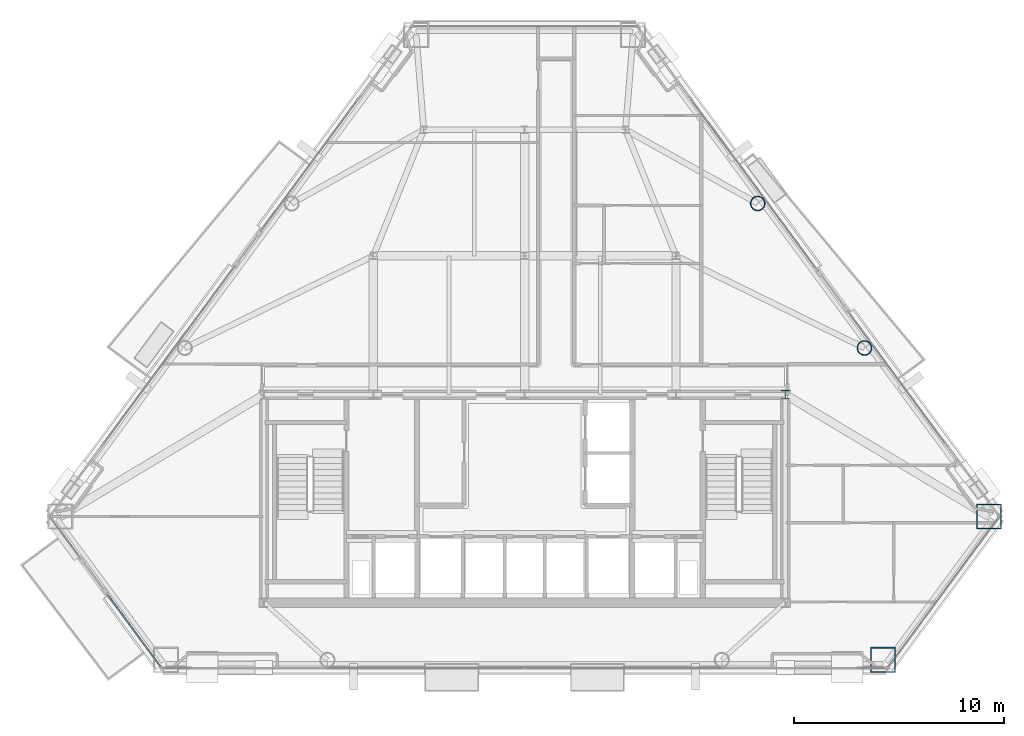
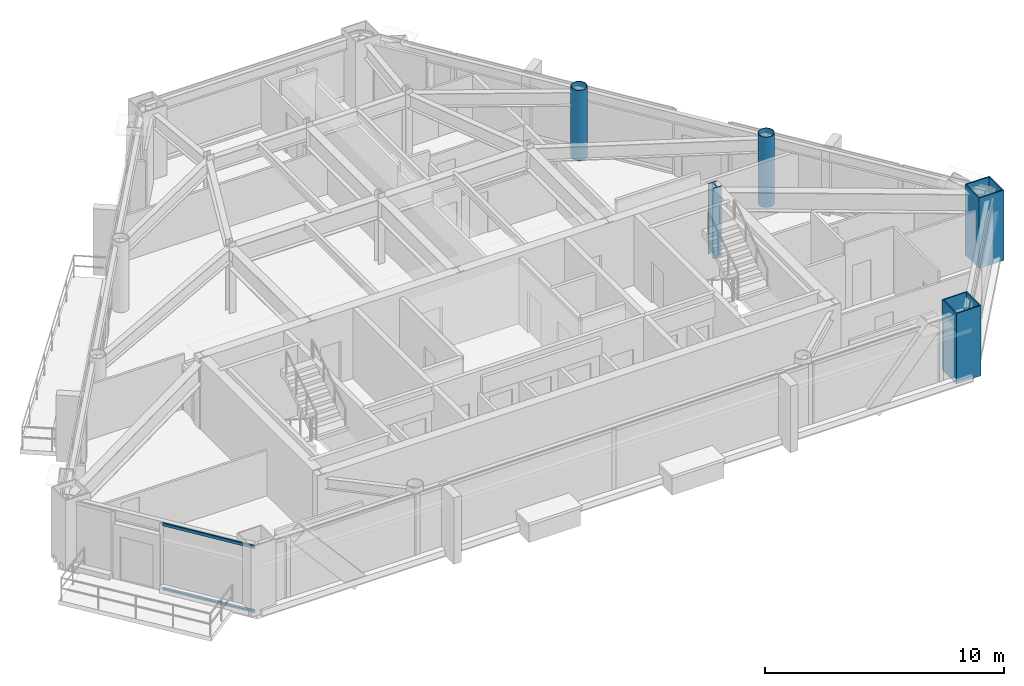
# One storey, part 2 of 11: 5 columns, 2 members, 1 element without a shape of its own.
"""IFC4 building model written with IfcOpenShell, lengths in metres."""

import ifcopenshell
import ifcopenshell.guid

model = None  # the IFC model being written
_history = None  # IfcOwnerHistory: only IFC2X3 demands one
_inside = {}  # id of a spatial element -> (the spatial element, [elements in it])
_under = {}  # id of a project, library or spatial element -> (it, [spatial elements below it])
_declared = {}  # id of a project -> (the project, [libraries it declares])
_typed = {}  # id of a type object -> (the type object, [elements of that type])
_made_of = {}  # id of a material, layer set ... -> (it, [elements and type objects made of it])


def new_model(schema):
    """Start an empty IFC model of exactly this schema.

    Asked for "IFC4X3", IfcOpenShell would pick the latest addendum, in which some entities
    have other attributes; the version numbers below select the first issue.
    IFC2X3 requires an IfcOwnerHistory on every rooted entity: one is made here for all.
    """
    global model, _history
    if schema == "IFC4X3":
        model = ifcopenshell.file(schema_version=(4, 3, 0, 0))
    else:
        model = ifcopenshell.file(schema=schema)
    _inside.clear()
    _under.clear()
    _declared.clear()
    _typed.clear()
    _made_of.clear()
    _history = None
    if model.schema == "IFC2X3":
        org = make("IfcOrganization", Name="unknown")
        user = make(
            "IfcPersonAndOrganization",
            ThePerson=make("IfcPerson", FamilyName="unknown"),
            TheOrganization=org,
        )
        app = make(
            "IfcApplication",
            ApplicationDeveloper=org,
            Version="unknown",
            ApplicationFullName="unknown",
            ApplicationIdentifier="unknown",
        )
        _history = make(
            "IfcOwnerHistory",
            OwningUser=user,
            OwningApplication=app,
            ChangeAction="ADDED",
            CreationDate=0,
        )
    return model


def make(cls, **values):
    """One entity of the class cls with the attributes given. An attribute that is None is left unset."""
    return model.create_entity(
        cls, **{name: value for name, value in values.items() if value is not None}
    )


def rooted(cls, **values):
    """An entity with a GlobalId (a new one), such as an element, a storey or a relation."""
    return make(cls, GlobalId=ifcopenshell.guid.new(), OwnerHistory=_history, **values)


def si_unit(unit_type, name, prefix=None):
    """IfcSIUnit, for example si_unit("LENGTHUNIT", "METRE", prefix="MILLI")."""
    return make("IfcSIUnit", UnitType=unit_type, Prefix=prefix, Name=name)


def assignment(units):
    """IfcUnitAssignment: the units of a project."""
    return None if units is None else make("IfcUnitAssignment", Units=units)


def point(xyz):
    """IfcCartesianPoint."""
    return None if xyz is None else make("IfcCartesianPoint", Coordinates=xyz)


def direction(xyz):
    """IfcDirection."""
    return None if xyz is None else make("IfcDirection", DirectionRatios=xyz)


def frame(location, z_axis=None, x_axis=None):
    """IfcAxis2Placement3D, a coordinate frame: its origin and axes. An axis left out is left unset."""
    return make(
        "IfcAxis2Placement3D",
        Location=point(location),
        Axis=direction(z_axis),
        RefDirection=direction(x_axis),
    )


def frame_2d(location, x_axis=None):
    """IfcAxis2Placement2D, a coordinate frame in the plane: its origin and x axis."""
    return make(
        "IfcAxis2Placement2D", Location=point(location), RefDirection=direction(x_axis)
    )


def origin():
    """The frame at (0, 0, 0) with its axes left unset."""
    return frame((0.0, 0.0, 0.0))


def origin_2d():
    """The frame at (0, 0) in the plane with its x axis left unset."""
    return frame_2d((0.0, 0.0))


def place(relative_to, where):
    """IfcLocalPlacement: puts the frame where relative to a parent placement (None: the world)."""
    return make(
        "IfcLocalPlacement", PlacementRelTo=relative_to, RelativePlacement=where
    )


def context(
    kind, dimensions, precision=None, world=None, true_north=None, identifier=None
):
    """IfcGeometricRepresentationContext, for example the 3D "Model" context."""
    return make(
        "IfcGeometricRepresentationContext",
        ContextIdentifier=identifier,
        ContextType=kind,
        CoordinateSpaceDimension=dimensions,
        Precision=precision,
        WorldCoordinateSystem=world,
        TrueNorth=true_north,
    )


def subcontext(parent, identifier, kind, view, scale=None):
    """IfcGeometricRepresentationSubContext, for example "Body" below "Model"."""
    return make(
        "IfcGeometricRepresentationSubContext",
        ContextIdentifier=identifier,
        ContextType=kind,
        ParentContext=parent,
        TargetScale=scale,
        TargetView=view,
    )


def project(units=None, contexts=None):
    """IfcProject with its units and contexts."""
    return rooted(
        "IfcProject",
        Name="project",
        RepresentationContexts=contexts,
        UnitsInContext=assignment(units),
    )


def spatial(cls, under=None, at=None, **own):
    """A site, building, storey or space (cls), placed at a placement, below another one or the project."""
    s = rooted(cls, ObjectPlacement=at, **own)
    if under is not None:
        _under.setdefault(under.id(), (under, []))[1].append(s)
    return s


def profile(cls, at=None, kind="AREA", **sizes):
    """A parametric profile (cls). Its sizes go by their IFC names, for example OverallWidth=200.0."""
    return make(cls, ProfileType=kind, Position=at, **sizes)


def rectangle(**sizes):
    """IfcRectangleProfileDef."""
    return profile("IfcRectangleProfileDef", **sizes)


def hollow_rectangle(**sizes):
    """IfcRectangleHollowProfileDef."""
    return profile("IfcRectangleHollowProfileDef", **sizes)


def hollow_circle(**sizes):
    """IfcCircleHollowProfileDef."""
    return profile("IfcCircleHollowProfileDef", **sizes)


def i_section(**sizes):
    """IfcIShapeProfileDef."""
    return profile("IfcIShapeProfileDef", **sizes)


def extrude(swept, where, along, depth):
    """IfcExtrudedAreaSolid: the profile swept, set in the frame where, extruded along a direction by depth."""
    return make(
        "IfcExtrudedAreaSolid",
        SweptArea=swept,
        Position=where,
        ExtrudedDirection=direction(along),
        Depth=depth,
    )


def shape(context_of_items, identifier, shape_type, items):
    """IfcShapeRepresentation: the items that make up one representation, for example the "Body"."""
    return make(
        "IfcShapeRepresentation",
        ContextOfItems=context_of_items,
        RepresentationIdentifier=identifier,
        RepresentationType=shape_type,
        Items=items,
    )


def material(Name=None, Category=None):
    """IfcMaterial."""
    return make("IfcMaterial", Name=Name, Category=Category)


def layer(
    of_material, thickness, ventilated=None, Name=None, Category=None, Priority=None
):
    """IfcMaterialLayer: one layer of a wall or slab, of a material (None: an air gap)."""
    return make(
        "IfcMaterialLayer",
        Material=of_material,
        LayerThickness=thickness,
        IsVentilated=ventilated,
        Name=Name,
        Category=Category,
        Priority=Priority,
    )


def layer_set(layers, Name=None):
    """IfcMaterialLayerSet."""
    return make("IfcMaterialLayerSet", MaterialLayers=layers, LayerSetName=Name)


def material_profile(
    of_material, cross_section, Name=None, Category=None, Priority=None
):
    """IfcMaterialProfile: a cross section and its material."""
    return make(
        "IfcMaterialProfile",
        Name=Name,
        Material=of_material,
        Profile=cross_section,
        Priority=Priority,
        Category=Category,
    )


def profile_set(profiles, Name=None, composite=None):
    """IfcMaterialProfileSet."""
    return make(
        "IfcMaterialProfileSet",
        Name=Name,
        MaterialProfiles=profiles,
        CompositeProfile=composite,
    )


def made_of(thing, what):
    """Note that an element or type object is made of a material, layer set ...; save() writes the relation."""
    if what is not None:
        _made_of.setdefault(what.id(), (what, []))[1].append(thing)
    return thing


def type_object(cls, material=None, **own):
    """A type object (cls), such as IfcWallType, which elements share."""
    return made_of(rooted(cls, **own), material)


def element(
    cls,
    number,
    at=None,
    inside=None,
    cuts=None,
    type_object=None,
    material=None,
    context=None,
    identifier="Body",
    shape_type=None,
    held_by="IfcProductDefinitionShape",
    body=None,
    shapes=None,
    **own,
):
    """One element of the class cls, such as IfcWall. Its Tag is "e" and its number.

    at: its placement. inside: the storey or other place that contains it. cuts: it is an
    opening in that element (IfcRelVoidsElement). A single representation is given by context,
    identifier, shape_type and body (its items); several are given by shapes. held_by: the class
    of the entity that holds the representations. save() writes the other relations.
    """
    e = rooted(cls, Tag="e%d" % number, ObjectPlacement=at, **own)
    if body is not None:
        shapes = [shape(context, identifier, shape_type, body)]
    if shapes is not None:
        e.Representation = make(held_by, Representations=shapes)
    if inside is not None:
        _inside.setdefault(inside.id(), (inside, []))[1].append(e)
    if cuts is not None:
        rooted(
            "IfcRelVoidsElement", RelatingBuildingElement=cuts, RelatedOpeningElement=e
        )
    if type_object is not None:
        _typed.setdefault(type_object.id(), (type_object, []))[1].append(e)
    return made_of(e, material)


def aggregate(whole, parts):
    """IfcRelAggregates: a whole, such as a stair, and the parts it consists of."""
    return rooted("IfcRelAggregates", RelatingObject=whole, RelatedObjects=parts)


def save(model, path):
    """Write the relations noted so far, then the file.

    IfcRelAggregates (storeys below a building ...), IfcRelContainedInSpatialStructure (elements
    in a storey), IfcRelDefinesByType, IfcRelAssociatesMaterial and IfcRelDeclares: one each for
    every whole, place, type object, material and project.
    """
    for whole, parts in _under.values():
        aggregate(whole, parts)
    for where, things in _inside.values():
        rooted(
            "IfcRelContainedInSpatialStructure",
            RelatedElements=things,
            RelatingStructure=where,
        )
    for kind, things in _typed.values():
        rooted("IfcRelDefinesByType", RelatedObjects=things, RelatingType=kind)
    for what, things in _made_of.values():
        rooted("IfcRelAssociatesMaterial", RelatedObjects=things, RelatingMaterial=what)
    for by, libraries in _declared.values():
        rooted("IfcRelDeclares", RelatingContext=by, RelatedDefinitions=libraries)
    model.write(path)


model = new_model("IFC4")

# Units and contexts
model_context = context("Model", 3, precision=1e-05, world=origin(), true_north=direction((0.0, 1.0)))
body_context = subcontext(model_context, "Body", "Model", "MODEL_VIEW")
ifc_project = project(units=[si_unit("LENGTHUNIT", "METRE"), si_unit("AREAUNIT", "SQUARE_METRE"), si_unit("VOLUMEUNIT", "CUBIC_METRE"), si_unit("PLANEANGLEUNIT", "RADIAN"), si_unit("MASSUNIT", "GRAM", prefix="KILO")], contexts=[model_context])

# Site, building, storey
site_placement = place(None, origin())
site = spatial("IfcSite", under=ifc_project, at=site_placement, CompositionType="ELEMENT")
building_placement = place(site_placement, origin())
building = spatial("IfcBuilding", under=site, at=building_placement, Name="Talgorran Terracotta Tower", CompositionType="ELEMENT")
storey_placement = place(building_placement, frame((0.0, 0.0, 129.300048828125)))
storey = spatial("IfcBuildingStorey", under=building, at=storey_placement, Name="L33", CompositionType="ELEMENT", Elevation=129.300048828125)

# Columns
ifc_material_1 = material(Name="Steel S355 (300PLUS)", Category="steel")
ifc_material_profile_1 = material_profile(ifc_material_1, i_section(OverallWidth=0.39990234375, OverallDepth=0.43994140625, WebThickness=0.028076171875, FlangeThickness=0.0400390625, at=origin_2d()), Name="400WC328")
ifc_profile_set_1 = profile_set([ifc_material_profile_1], Name="Steel S355 (300PLUS)")
column_type_1 = type_object("IfcColumnType", Name="COL_400WC328", PredefinedType="COLUMN", material=ifc_profile_set_1)
column_placement = place(storey_placement, frame((12.39990234375, -4.199951171875, 0.0), z_axis=(0.0, 0.0, 1.0), x_axis=(1.0, 0.0, 0.0)))
element("IfcColumn", 1, at=column_placement, inside=storey, type_object=column_type_1, Name="L33 Core Boundary Column CC3", PredefinedType="COLUMN", context=body_context, shape_type="SweptSolid", body=[
    extrude(i_section(OverallWidth=0.39990234375, OverallDepth=0.43994140625, WebThickness=0.028076171875, FlangeThickness=0.0400390625, at=origin_2d()), origin(), (0.0, 0.0, 1.0), 3.599853515625),
])
ifc_material_2 = material(Name="Steel Grade 350 (350L0)", Category="steel")
ifc_material_profile_2 = material_profile(ifc_material_2, hollow_rectangle(XDim=1.199951171875, YDim=1.199951171875, WallThickness=0.054931640625, at=origin_2d()), Name="CFT1200X1200X55")
ifc_profile_set_2 = profile_set([ifc_material_profile_2], Name="Steel Grade 350 (350L0)")
column_type_2 = type_object("IfcColumnType", Name="COL_CFT_1200", PredefinedType="COLUMN", material=ifc_profile_set_2)
for number, where, z_axis, x_axis, name in (
    (2, (17.056884765625, -16.81884765625, 0.0), (0.0, 0.0, 1.0), (1.0, 0.0, 0.0), "L33 Corner CFT Mega-Column MC3"),
    (3, (22.09619140625, -10.000244140625, 0.0), (0.0, 0.0, 1.0), (1.0, 0.0, 0.0), "L33 Corner CFT Mega-Column MC4"),
):
    element("IfcColumn", number, at=place(storey_placement, frame(where, z_axis=z_axis, x_axis=x_axis)), inside=storey, type_object=column_type_2, Name=name, PredefinedType="COLUMN", context=body_context, shape_type="SweptSolid", body=[
        extrude(hollow_rectangle(XDim=1.199951171875, YDim=1.199951171875, WallThickness=0.054931640625, at=origin_2d()), origin(), (0.0, 0.0, 1.0), 3.599853515625),
    ])
ifc_material_profile_3 = material_profile(ifc_material_2, hollow_circle(Radius=0.35009765625, WallThickness=0.030029296875, at=origin_2d()), Name="CHS700X30")
ifc_profile_set_3 = profile_set([ifc_material_profile_3], Name="Steel Grade 350 (350L0)")
column_type_3 = type_object("IfcColumnType", Name="COL_CHS_700", PredefinedType="COLUMN", material=ifc_profile_set_3)
for number, where, z_axis, x_axis, name in (
    (4, (16.169189453125, -1.98046875, 0.0), (0.0, 0.0, 1.0), (1.0, 0.0, 0.0), "L33 Facet Perimeter Column FC3"),
    (5, (11.088623046875, 4.893798828125, 0.0), (0.0, 0.0, 1.0), (1.0, 0.0, 0.0), "L33 Facet Perimeter Column FC4"),
):
    element("IfcColumn", number, at=place(storey_placement, frame(where, z_axis=z_axis, x_axis=x_axis)), inside=storey, type_object=column_type_3, Name=name, PredefinedType="COLUMN", context=body_context, shape_type="SweptSolid", body=[
        extrude(hollow_circle(Radius=0.35009765625, WallThickness=0.030029296875, at=origin_2d()), origin(), (0.0, 0.0, 1.0), 3.599853515625),
    ])

# Curtain wall, members
ifc_material_3 = material(Name="Unitised Low-E Double Glazing", Category="glass")
ifc_layer = layer(ifc_material_3, 0.199951171875, Name="CW_SYS2_RES_LOW")
ifc_layer_set = layer_set([ifc_layer], Name="Unitised Low-E Double Glazing")
curtain_wall_type = type_object("IfcCurtainWallType", Name="CW_SYS2_RES_LOW", PredefinedType="NOTDEFINED", material=ifc_layer_set)
curtain_wall_placement = place(storey_placement, origin())
curtain_wall = element("IfcCurtainWall", 6, at=curtain_wall_placement, inside=storey, type_object=curtain_wall_type, Name="CW-L33-F11", PredefinedType="NOTDEFINED")
ifc_material_4 = material(Name="Architectural Aluminium 6063-T6", Category="aluminium")
ifc_material_profile_4 = material_profile(ifc_material_4, rectangle(XDim=0.06494140625, YDim=0.14990234375, at=origin_2d()), Name="CWT65X150")
ifc_profile_set_4 = profile_set([ifc_material_profile_4], Name="Architectural Aluminium 6063-T6")
member_type = type_object("IfcMemberType", Name="TRN_65X150", PredefinedType="USERDEFINED", material=ifc_profile_set_4)
member_1_placement = place(storey_placement, frame((-19.821533203125, -13.751220703125, 0.032470703125), z_axis=(0.594358426754, -0.804200261469, 0.0), x_axis=(0.804200261469, 0.594358426754, 0.0)))
member_1 = element("IfcMember", 7, at=member_1_placement, type_object=member_type, Name="CW-L33-11 transom 1.1", ObjectType="TRANSOM", PredefinedType="USERDEFINED", context=body_context, shape_type="SweptSolid", body=[
    extrude(rectangle(XDim=0.06494140625, YDim=0.14990234375, at=origin_2d()), origin(), (0.0, 0.0, 1.0), 4.20703125),
])
member_2_placement = place(storey_placement, frame((-19.821533203125, -13.751220703125, 3.3173828125), z_axis=(0.594358426754, -0.804200261469, 0.0), x_axis=(0.804200261469, 0.594358426754, 0.0)))
member_2 = element("IfcMember", 8, at=member_2_placement, type_object=member_type, Name="CW-L33-11 transom 1.2", ObjectType="TRANSOM", PredefinedType="USERDEFINED", context=body_context, shape_type="SweptSolid", body=[
    extrude(rectangle(XDim=0.06494140625, YDim=0.14990234375, at=origin_2d()), origin(), (0.0, 0.0, 1.0), 4.20703125),
])
aggregate(curtain_wall, [member_1, member_2])

save(model, "model.ifc")
